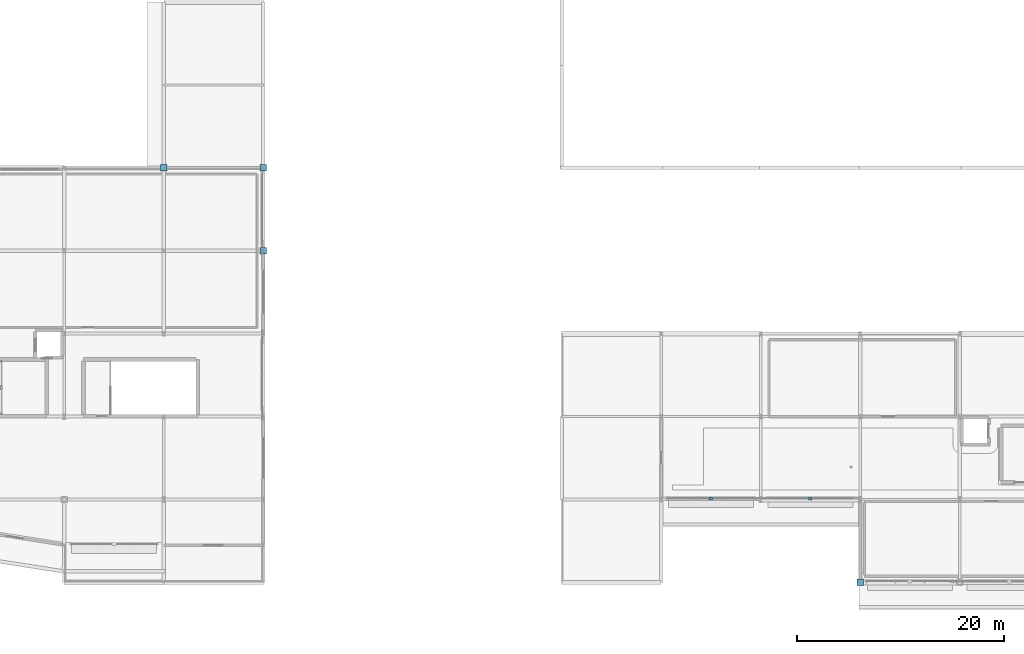
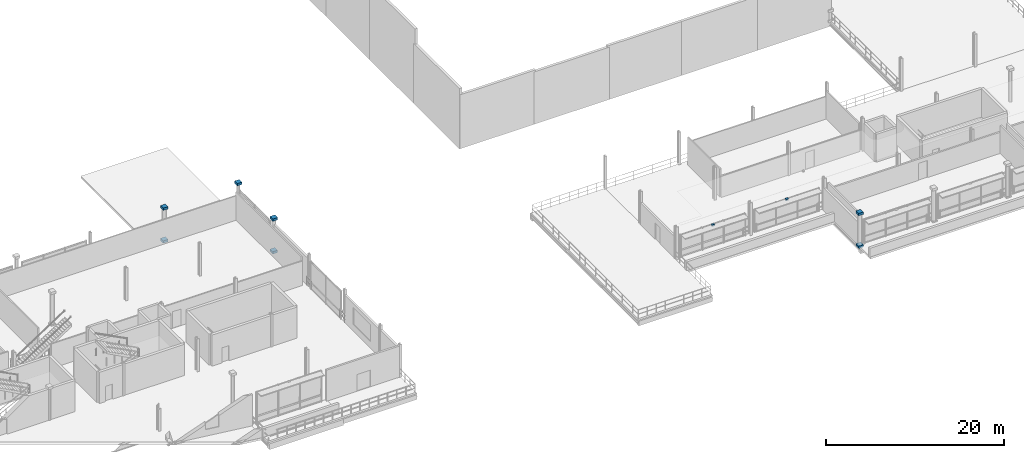
# One storey, part 45 of 59: 9 discrete accessories.
"""IFC4 building model written with IfcOpenShell, lengths in metres."""

from ifc_helpers import new_model, si_unit, direction, frame, origin, origin_2d, place, context, subcontext, project, spatial, rectangle, extrude, material, type_object, element, save


model = new_model("IFC4")

# Units and contexts
model_context = context("Model", 3, precision=1e-05, world=origin(), true_north=direction((0.0, 1.0)))
body_context = subcontext(model_context, "Body", "Model", "MODEL_VIEW")
ifc_project = project(units=[si_unit("LENGTHUNIT", "METRE"), si_unit("AREAUNIT", "SQUARE_METRE"), si_unit("VOLUMEUNIT", "CUBIC_METRE"), si_unit("PLANEANGLEUNIT", "RADIAN"), si_unit("MASSUNIT", "GRAM", prefix="KILO")], contexts=[model_context])

# Site, building, storey
site_placement = place(None, origin())
site = spatial("IfcSite", under=ifc_project, at=site_placement, CompositionType="ELEMENT")
building_placement = place(site_placement, origin())
building = spatial("IfcBuilding", under=site, at=building_placement, Name="Danafjord Basin Convention Centre", CompositionType="ELEMENT")
storey_placement = place(building_placement, frame((0.0, 0.0, 15.89990234375)))
storey = spatial("IfcBuildingStorey", under=building, at=storey_placement, Name="L03", CompositionType="ELEMENT", Elevation=15.89990234375)

# Discrete accessories
ifc_material_1 = material(Name="Stainless steel EN 1.4404", Category="steel")
discrete_accessory_type_1 = type_object("IfcDiscreteAccessoryType", Name="ACC-FIN-BRK", PredefinedType="BRACKET", material=ifc_material_1)
for number, where, z_axis, x_axis, name in (
    (1, (158.39990234375, 8.070068359375, 2.84521484375), (0.0, 0.0, 1.0), (1.0, 0.0, 0.0), "Sunshade tie-back bracket"),
    (2, (168.0, 8.070068359375, 2.9951171875), (0.0, 0.0, 1.0), (1.0, 0.0, 0.0), "Sunshade tie-back bracket"),
):
    element("IfcDiscreteAccessory", number, at=place(storey_placement, frame(where, z_axis=z_axis, x_axis=x_axis)), inside=storey, type_object=discrete_accessory_type_1, Name=name, PredefinedType="BRACKET", context=body_context, shape_type="SweptSolid", body=[
        extrude(rectangle(XDim=0.340087890625, YDim=0.260009765625, at=origin_2d()), origin(), (0.0, 0.0, 1.0), 0.219970703125),
    ])
ifc_material_2 = material(Name="Steel S355", Category="steel")
discrete_accessory_type_2 = type_object("IfcDiscreteAccessoryType", Name="ACC-SF-HUB", PredefinedType="BRACKET", material=ifc_material_2)
for number, where, z_axis, x_axis, name in (
    (3, (105.60009765625, 40.0, -0.16015625), (0.0, 0.0, 1.0), (1.0, 0.0, 0.0), "Tubular steel column transition collar"),
    (4, (105.60009765625, 40.0, 4.33984375), (0.0, 0.0, 1.0), (1.0, 0.0, 0.0), "Tubular steel column top cap plate"),
    (5, (115.199951171875, 32.0, -0.16015625), (0.0, 0.0, 1.0), (1.0, 0.0, 0.0), "Tubular steel column transition collar"),
    (6, (115.199951171875, 32.0, 4.33984375), (0.0, 0.0, 1.0), (1.0, 0.0, 0.0), "Tubular steel column top cap plate"),
    (7, (115.199951171875, 40.0, 4.33984375), (0.0, 0.0, 1.0), (1.0, 0.0, 0.0), "Tubular steel column top cap plate"),
    (8, (172.800048828125, 0.0, -0.16015625), (0.0, 0.0, 1.0), (1.0, 0.0, 0.0), "Tubular steel column transition collar"),
    (9, (172.800048828125, 0.0, 4.33984375), (0.0, 0.0, 1.0), (1.0, 0.0, 0.0), "Tubular steel column top cap plate"),
):
    element("IfcDiscreteAccessory", number, at=place(storey_placement, frame(where, z_axis=z_axis, x_axis=x_axis)), inside=storey, type_object=discrete_accessory_type_2, Name=name, PredefinedType="BRACKET", context=body_context, shape_type="SweptSolid", body=[
        extrude(rectangle(XDim=0.6201171875, YDim=0.6201171875, at=origin_2d()), origin(), (0.0, 0.0, 1.0), 0.320068359375),
    ])

save(model, "model.ifc")
